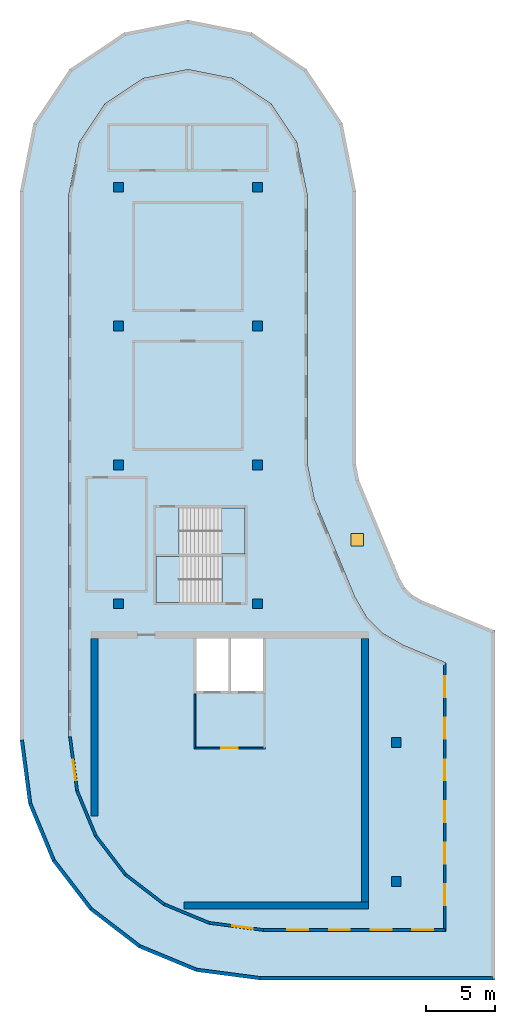
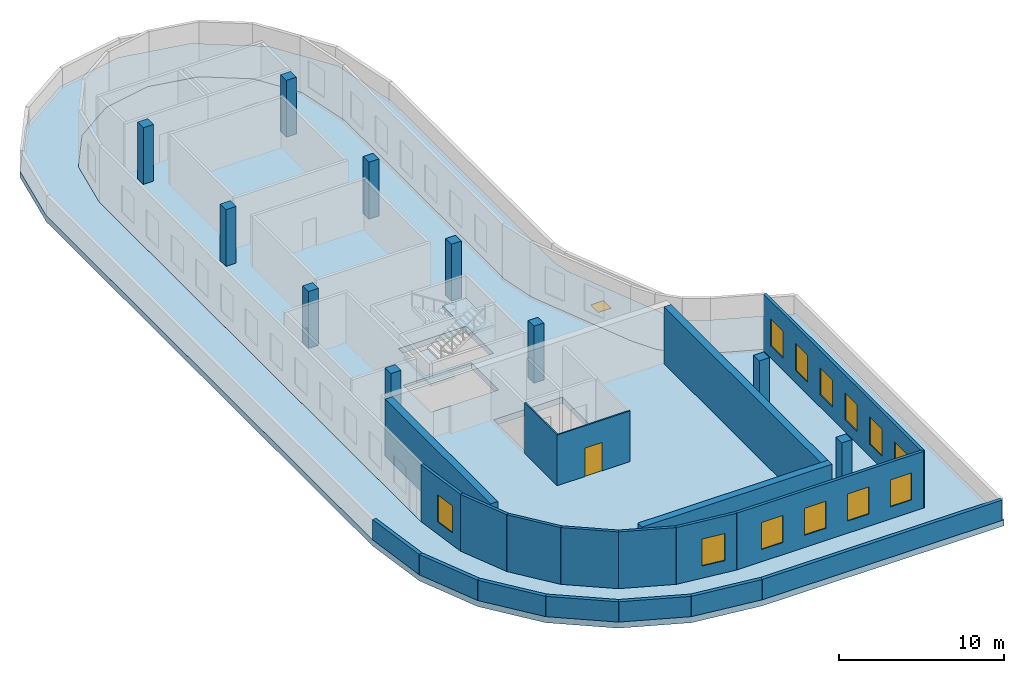
# One storey, part 1 of 5: 20 walls, 12 windows, 10 columns, 4 slabs, 2 doors, 14 openings, 2 elements without a shape of their own.
"""IFC4 building model written with IfcOpenShell, lengths in metres."""

import ifcopenshell
import ifcopenshell.guid

model = None  # the IFC model being written
_history = None  # IfcOwnerHistory: only IFC2X3 demands one
_inside = {}  # id of a spatial element -> (the spatial element, [elements in it])
_under = {}  # id of a project, library or spatial element -> (it, [spatial elements below it])
_declared = {}  # id of a project -> (the project, [libraries it declares])
_typed = {}  # id of a type object -> (the type object, [elements of that type])
_made_of = {}  # id of a material, layer set ... -> (it, [elements and type objects made of it])


def new_model(schema):
    """Start an empty IFC model of exactly this schema.

    Asked for "IFC4X3", IfcOpenShell would pick the latest addendum, in which some entities
    have other attributes; the version numbers below select the first issue.
    IFC2X3 requires an IfcOwnerHistory on every rooted entity: one is made here for all.
    """
    global model, _history
    if schema == "IFC4X3":
        model = ifcopenshell.file(schema_version=(4, 3, 0, 0))
    else:
        model = ifcopenshell.file(schema=schema)
    _inside.clear()
    _under.clear()
    _declared.clear()
    _typed.clear()
    _made_of.clear()
    _history = None
    if model.schema == "IFC2X3":
        org = make("IfcOrganization", Name="unknown")
        user = make(
            "IfcPersonAndOrganization",
            ThePerson=make("IfcPerson", FamilyName="unknown"),
            TheOrganization=org,
        )
        app = make(
            "IfcApplication",
            ApplicationDeveloper=org,
            Version="unknown",
            ApplicationFullName="unknown",
            ApplicationIdentifier="unknown",
        )
        _history = make(
            "IfcOwnerHistory",
            OwningUser=user,
            OwningApplication=app,
            ChangeAction="ADDED",
            CreationDate=0,
        )
    return model


def make(cls, **values):
    """One entity of the class cls with the attributes given. An attribute that is None is left unset."""
    return model.create_entity(
        cls, **{name: value for name, value in values.items() if value is not None}
    )


def rooted(cls, **values):
    """An entity with a GlobalId (a new one), such as an element, a storey or a relation."""
    return make(cls, GlobalId=ifcopenshell.guid.new(), OwnerHistory=_history, **values)


def si_unit(unit_type, name, prefix=None):
    """IfcSIUnit, for example si_unit("LENGTHUNIT", "METRE", prefix="MILLI")."""
    return make("IfcSIUnit", UnitType=unit_type, Prefix=prefix, Name=name)


def assignment(units):
    """IfcUnitAssignment: the units of a project."""
    return None if units is None else make("IfcUnitAssignment", Units=units)


def point(xyz):
    """IfcCartesianPoint."""
    return None if xyz is None else make("IfcCartesianPoint", Coordinates=xyz)


def direction(xyz):
    """IfcDirection."""
    return None if xyz is None else make("IfcDirection", DirectionRatios=xyz)


def frame(location, z_axis=None, x_axis=None):
    """IfcAxis2Placement3D, a coordinate frame: its origin and axes. An axis left out is left unset."""
    return make(
        "IfcAxis2Placement3D",
        Location=point(location),
        Axis=direction(z_axis),
        RefDirection=direction(x_axis),
    )


def frame_2d(location, x_axis=None):
    """IfcAxis2Placement2D, a coordinate frame in the plane: its origin and x axis."""
    return make(
        "IfcAxis2Placement2D", Location=point(location), RefDirection=direction(x_axis)
    )


def origin():
    """The frame at (0, 0, 0) with its axes left unset."""
    return frame((0.0, 0.0, 0.0))


def origin_2d():
    """The frame at (0, 0) in the plane with its x axis left unset."""
    return frame_2d((0.0, 0.0))


def place(relative_to, where):
    """IfcLocalPlacement: puts the frame where relative to a parent placement (None: the world)."""
    return make(
        "IfcLocalPlacement", PlacementRelTo=relative_to, RelativePlacement=where
    )


def context(
    kind, dimensions, precision=None, world=None, true_north=None, identifier=None
):
    """IfcGeometricRepresentationContext, for example the 3D "Model" context."""
    return make(
        "IfcGeometricRepresentationContext",
        ContextIdentifier=identifier,
        ContextType=kind,
        CoordinateSpaceDimension=dimensions,
        Precision=precision,
        WorldCoordinateSystem=world,
        TrueNorth=true_north,
    )


def subcontext(parent, identifier, kind, view, scale=None):
    """IfcGeometricRepresentationSubContext, for example "Body" below "Model"."""
    return make(
        "IfcGeometricRepresentationSubContext",
        ContextIdentifier=identifier,
        ContextType=kind,
        ParentContext=parent,
        TargetScale=scale,
        TargetView=view,
    )


def project(units=None, contexts=None):
    """IfcProject with its units and contexts."""
    return rooted(
        "IfcProject",
        Name="project",
        RepresentationContexts=contexts,
        UnitsInContext=assignment(units),
    )


def spatial(cls, under=None, at=None, **own):
    """A site, building, storey or space (cls), placed at a placement, below another one or the project."""
    s = rooted(cls, ObjectPlacement=at, **own)
    if under is not None:
        _under.setdefault(under.id(), (under, []))[1].append(s)
    return s


def polyline(points):
    """IfcPolyline through the points."""
    return make("IfcPolyline", Points=[point(p) for p in points])


def profile(cls, at=None, kind="AREA", **sizes):
    """A parametric profile (cls). Its sizes go by their IFC names, for example OverallWidth=200.0."""
    return make(cls, ProfileType=kind, Position=at, **sizes)


def rectangle(**sizes):
    """IfcRectangleProfileDef."""
    return profile("IfcRectangleProfileDef", **sizes)


def outline(outer, holes=None, kind="AREA"):
    """IfcArbitraryClosedProfileDef: a profile drawn as a closed curve; with holes, ...WithVoids."""
    if holes is None:
        return make("IfcArbitraryClosedProfileDef", ProfileType=kind, OuterCurve=outer)
    return make(
        "IfcArbitraryProfileDefWithVoids",
        ProfileType=kind,
        OuterCurve=outer,
        InnerCurves=holes,
    )


def extrude(swept, where, along, depth):
    """IfcExtrudedAreaSolid: the profile swept, set in the frame where, extruded along a direction by depth."""
    return make(
        "IfcExtrudedAreaSolid",
        SweptArea=swept,
        Position=where,
        ExtrudedDirection=direction(along),
        Depth=depth,
    )


def shape(context_of_items, identifier, shape_type, items):
    """IfcShapeRepresentation: the items that make up one representation, for example the "Body"."""
    return make(
        "IfcShapeRepresentation",
        ContextOfItems=context_of_items,
        RepresentationIdentifier=identifier,
        RepresentationType=shape_type,
        Items=items,
    )


def material(Name=None, Category=None):
    """IfcMaterial."""
    return make("IfcMaterial", Name=Name, Category=Category)


def layer(
    of_material, thickness, ventilated=None, Name=None, Category=None, Priority=None
):
    """IfcMaterialLayer: one layer of a wall or slab, of a material (None: an air gap)."""
    return make(
        "IfcMaterialLayer",
        Material=of_material,
        LayerThickness=thickness,
        IsVentilated=ventilated,
        Name=Name,
        Category=Category,
        Priority=Priority,
    )


def layer_set(layers, Name=None):
    """IfcMaterialLayerSet."""
    return make("IfcMaterialLayerSet", MaterialLayers=layers, LayerSetName=Name)


def material_profile(
    of_material, cross_section, Name=None, Category=None, Priority=None
):
    """IfcMaterialProfile: a cross section and its material."""
    return make(
        "IfcMaterialProfile",
        Name=Name,
        Material=of_material,
        Profile=cross_section,
        Priority=Priority,
        Category=Category,
    )


def profile_set(profiles, Name=None, composite=None):
    """IfcMaterialProfileSet."""
    return make(
        "IfcMaterialProfileSet",
        Name=Name,
        MaterialProfiles=profiles,
        CompositeProfile=composite,
    )


def made_of(thing, what):
    """Note that an element or type object is made of a material, layer set ...; save() writes the relation."""
    if what is not None:
        _made_of.setdefault(what.id(), (what, []))[1].append(thing)
    return thing


def type_object(cls, material=None, **own):
    """A type object (cls), such as IfcWallType, which elements share."""
    return made_of(rooted(cls, **own), material)


def element(
    cls,
    number,
    at=None,
    inside=None,
    cuts=None,
    type_object=None,
    material=None,
    context=None,
    identifier="Body",
    shape_type=None,
    held_by="IfcProductDefinitionShape",
    body=None,
    shapes=None,
    **own,
):
    """One element of the class cls, such as IfcWall. Its Tag is "e" and its number.

    at: its placement. inside: the storey or other place that contains it. cuts: it is an
    opening in that element (IfcRelVoidsElement). A single representation is given by context,
    identifier, shape_type and body (its items); several are given by shapes. held_by: the class
    of the entity that holds the representations. save() writes the other relations.
    """
    e = rooted(cls, Tag="e%d" % number, ObjectPlacement=at, **own)
    if body is not None:
        shapes = [shape(context, identifier, shape_type, body)]
    if shapes is not None:
        e.Representation = make(held_by, Representations=shapes)
    if inside is not None:
        _inside.setdefault(inside.id(), (inside, []))[1].append(e)
    if cuts is not None:
        rooted(
            "IfcRelVoidsElement", RelatingBuildingElement=cuts, RelatedOpeningElement=e
        )
    if type_object is not None:
        _typed.setdefault(type_object.id(), (type_object, []))[1].append(e)
    return made_of(e, material)


def fill(opening, filler):
    """IfcRelFillsElement: the door or window that sits in an opening."""
    return rooted(
        "IfcRelFillsElement",
        RelatingOpeningElement=opening,
        RelatedBuildingElement=filler,
    )


def aggregate(whole, parts):
    """IfcRelAggregates: a whole, such as a stair, and the parts it consists of."""
    return rooted("IfcRelAggregates", RelatingObject=whole, RelatedObjects=parts)


def save(model, path):
    """Write the relations noted so far, then the file.

    IfcRelAggregates (storeys below a building ...), IfcRelContainedInSpatialStructure (elements
    in a storey), IfcRelDefinesByType, IfcRelAssociatesMaterial and IfcRelDeclares: one each for
    every whole, place, type object, material and project.
    """
    for whole, parts in _under.values():
        aggregate(whole, parts)
    for where, things in _inside.values():
        rooted(
            "IfcRelContainedInSpatialStructure",
            RelatedElements=things,
            RelatingStructure=where,
        )
    for kind, things in _typed.values():
        rooted("IfcRelDefinesByType", RelatedObjects=things, RelatingType=kind)
    for what, things in _made_of.values():
        rooted("IfcRelAssociatesMaterial", RelatedObjects=things, RelatingMaterial=what)
    for by, libraries in _declared.values():
        rooted("IfcRelDeclares", RelatingContext=by, RelatedDefinitions=libraries)
    model.write(path)


model = new_model("IFC4")

# Units and contexts
model_context = context("Model", 3, precision=1e-05, world=origin(), true_north=direction((0.0, 1.0)))
body_context = subcontext(model_context, "Body", "Model", "MODEL_VIEW")
ifc_project = project(units=[si_unit("LENGTHUNIT", "METRE"), si_unit("AREAUNIT", "SQUARE_METRE"), si_unit("VOLUMEUNIT", "CUBIC_METRE"), si_unit("PLANEANGLEUNIT", "RADIAN"), si_unit("MASSUNIT", "GRAM", prefix="KILO")], contexts=[model_context])

# Site, building, storey
site_placement = place(None, origin())
site = spatial("IfcSite", under=ifc_project, at=site_placement, CompositionType="ELEMENT")
building_placement = place(site_placement, origin())
building = spatial("IfcBuilding", under=site, at=building_placement, Name="Qaws Garden Tower", CompositionType="ELEMENT")
storey_placement = place(building_placement, frame((0.0, 0.0, 369.60009765625)))
storey = spatial("IfcBuildingStorey", under=building, at=storey_placement, Name="C2", CompositionType="ELEMENT", Elevation=369.60009765625)

# Columns
ifc_material_1 = material(Name="Concrete C60", Category="concrete")
ifc_material_profile = material_profile(ifc_material_1, rectangle(XDim=0.699951171875, YDim=0.699951171875, at=origin_2d()), Name="RC 700x700")
ifc_profile_set = profile_set([ifc_material_profile], Name="Concrete C60")
column_type = type_object("IfcColumnType", Name="Column RC 700x700 C60", PredefinedType="COLUMN", material=ifc_profile_set)
for number, where, z_axis, x_axis, name in (
    (1, (10.0, 30.0, 0.0), (0.0, 0.0, 1.0), (1.0, 0.0, 0.0), "Column C2-001"),
    (2, (10.0, 40.0, 0.0), (0.0, 0.0, 1.0), (1.0, 0.0, 0.0), "Column C2-002"),
    (3, (10.0, 50.0, 0.0), (0.0, 0.0, 1.0), (1.0, 0.0, 0.0), "Column C2-003"),
    (4, (10.0, 60.0, 0.0), (0.0, 0.0, 1.0), (1.0, 0.0, 0.0), "Column C2-004"),
    (5, (20.0, 30.0, 0.0), (0.0, 0.0, 1.0), (1.0, 0.0, 0.0), "Column C2-005"),
    (6, (20.0, 40.0, 0.0), (0.0, 0.0, 1.0), (1.0, 0.0, 0.0), "Column C2-006"),
    (7, (20.0, 50.0, 0.0), (0.0, 0.0, 1.0), (1.0, 0.0, 0.0), "Column C2-007"),
    (8, (20.0, 60.0, 0.0), (0.0, 0.0, 1.0), (1.0, 0.0, 0.0), "Column C2-008"),
    (9, (30.0, 10.0, 0.0), (0.0, 0.0, 1.0), (1.0, 0.0, 0.0), "Column C2-009"),
    (10, (30.0, 20.0, 0.0), (0.0, 0.0, 1.0), (1.0, 0.0, 0.0), "Column C2-010"),
):
    element("IfcColumn", number, at=place(storey_placement, frame(where, z_axis=z_axis, x_axis=x_axis)), inside=storey, type_object=column_type, Name=name, PredefinedType="COLUMN", context=body_context, shape_type="SweptSolid", body=[
        extrude(rectangle(XDim=0.699951171875, YDim=0.699951171875, at=origin_2d()), origin(), (0.0, 0.0, 1.0), 4.199951171875),
    ])

# Slab
ifc_material_2 = material(Name="Concrete C45", Category="concrete")
ifc_layer_1 = layer(ifc_material_2, 0.449951171875)
ifc_layer_set_1 = layer_set([ifc_layer_1], Name="Concrete C45")
slab_type_1 = type_object("IfcSlabType", Name="Floor slab 450 C45", PredefinedType="FLOOR", material=ifc_layer_set_1)
placement_1 = place(storey_placement, frame((0.0, 0.0, -0.4501953125)))
element("IfcSlab", 11, at=placement_1, inside=storey, type_object=slab_type_1, Name="Floor slab C2", PredefinedType="FLOOR", context=body_context, shape_type="SweptSolid", body=[
    extrude(outline(polyline([(16.494384765625, 6.916748046875), (13.2275390625, 8.27001953125), (10.42236328125, 10.42236328125), (8.27001953125, 13.2275390625), (6.916748046875, 16.494384765625), (6.39990234375, 20.41943359375), (6.39990234375, 59.36962890625), (7.17041015625, 63.2431640625), (9.007568359375, 65.992431640625), (11.7568359375, 67.82958984375), (15.0, 68.474609375), (18.2431640625, 67.82958984375), (20.992431640625, 65.992431640625), (22.82958984375, 63.2431640625), (23.60009765625, 59.36962890625), (23.60009765625, 40.0), (24.087158203125, 37.55078125), (27.01611328125, 30.479736328125), (27.8515625, 29.032958984375), (29.032958984375, 27.8515625), (30.479736328125, 27.01611328125), (33.60009765625, 25.7236328125), (33.60009765625, 6.39990234375), (20.41943359375, 6.39990234375), (16.494384765625, 6.916748046875)]), holes=[polyline([(15.60009765625, 23.699951171875), (17.89990234375, 23.699951171875), (17.89990234375, 27.5), (15.60009765625, 27.5), (15.60009765625, 23.699951171875)]), polyline([(18.10009765625, 23.699951171875), (20.39990234375, 23.699951171875), (20.39990234375, 27.5), (18.10009765625, 27.5), (18.10009765625, 23.699951171875)]), polyline([(12.699951171875, 30.10009765625), (17.449462890625, 30.10009765625), (17.449462890625, 33.39990234375), (12.699951171875, 33.39990234375), (12.699951171875, 30.10009765625)]), polyline([(14.3505859375, 33.60009765625), (19.10009765625, 33.60009765625), (19.10009765625, 36.89990234375), (14.3505859375, 36.89990234375), (14.3505859375, 33.60009765625)])]), origin(), (0.0, 0.0, 1.0), 0.4501953125),
])

# Stair, slab
ifc_material_3 = material(Name="Concrete C40", Category="concrete")
stair_type = type_object("IfcStairType", Name="Exit stair 1350", PredefinedType="HALF_TURN_STAIR", material=ifc_material_3)
placement_2 = place(storey_placement, origin())
stair_1 = element("IfcStair", 12, at=placement_2, inside=storey, type_object=stair_type, Name="Stair 1", PredefinedType="HALF_TURN_STAIR")
ifc_material_4 = material(Name="Concrete C40", Category="concrete")
ifc_layer_2 = layer(ifc_material_4, 0.199951171875)
ifc_layer_set_2 = layer_set([ifc_layer_2], Name="Concrete C40")
slab_type_2 = type_object("IfcSlabType", Name="Stair landing 200", PredefinedType="LANDING", material=ifc_layer_set_2)
placement_3 = place(storey_placement, frame((0.0, 0.0, 1.89990234375)))
slab_2 = element("IfcSlab", 13, at=placement_3, type_object=slab_type_2, Name="CS1 landing 1", PredefinedType="LANDING", context=body_context, shape_type="SweptSolid", body=[
    extrude(outline(polyline([(12.699951171875, 30.10009765625), (14.3701171875, 30.10009765625), (14.3701171875, 33.39990234375), (12.699951171875, 33.39990234375), (12.699951171875, 30.10009765625)])), origin(), (0.0, 0.0, 1.0), 0.199951171875),
])
aggregate(stair_1, [slab_2])

stair_2 = element("IfcStair", 14, at=placement_2, inside=storey, type_object=stair_type, Name="Stair 2", PredefinedType="HALF_TURN_STAIR")
slab_3 = element("IfcSlab", 15, at=placement_3, type_object=slab_type_2, Name="CS2 landing 1", PredefinedType="LANDING", context=body_context, shape_type="SweptSolid", body=[
    extrude(outline(polyline([(17.429931640625, 33.60009765625), (19.10009765625, 33.60009765625), (19.10009765625, 36.89990234375), (17.429931640625, 36.89990234375), (17.429931640625, 33.60009765625)])), origin(), (0.0, 0.0, 1.0), 0.199951171875),
])
aggregate(stair_2, [slab_3])

# Slab, opening, door
ifc_material_5 = material(Name="Concrete C45", Category="concrete")
ifc_layer_3 = layer(ifc_material_5, 0.449951171875)
ifc_layer_set_3 = layer_set([ifc_layer_3], Name="Concrete C45")
slab_type_3 = type_object("IfcSlabType", Name="Terrace slab 450 C45", PredefinedType="FLOOR", material=ifc_layer_set_3)
slab_4 = element("IfcSlab", 16, at=placement_1, inside=storey, type_object=slab_type_3, Name="Terrace slab C2", PredefinedType="FLOOR", context=body_context, shape_type="SweptSolid", body=[
    extrude(outline(polyline([(15.580810546875, 3.5068359375), (11.46240234375, 5.212646484375), (7.92626953125, 7.92626953125), (5.212646484375, 11.46240234375), (3.5068359375, 15.580810546875), (2.89990234375, 20.190185546875), (2.89990234375, 59.71435546875), (3.87353515625, 64.608642578125), (6.484130859375, 68.515869140625), (10.391357421875, 71.12646484375), (15.0, 72.043212890625), (19.608642578125, 71.12646484375), (23.515869140625, 68.515869140625), (26.12646484375, 64.608642578125), (27.10009765625, 59.71435546875), (27.10009765625, 40.0), (27.32080078125, 38.89013671875), (30.249755859375, 31.819091796875), (30.628173828125, 31.16357421875), (31.16357421875, 30.628173828125), (31.819091796875, 30.249755859375), (37.10009765625, 28.062255859375), (37.10009765625, 2.89990234375), (20.190185546875, 2.89990234375), (15.580810546875, 3.5068359375)]), holes=[polyline([(33.60009765625, 6.39990234375), (33.60009765625, 25.7236328125), (30.479736328125, 27.01611328125), (29.032958984375, 27.8515625), (27.8515625, 29.032958984375), (27.01611328125, 30.479736328125), (24.087158203125, 37.55078125), (23.60009765625, 40.0), (23.60009765625, 59.36962890625), (22.82958984375, 63.2431640625), (20.992431640625, 65.992431640625), (18.2431640625, 67.82958984375), (15.0, 68.474609375), (11.7568359375, 67.82958984375), (9.007568359375, 65.992431640625), (7.17041015625, 63.2431640625), (6.39990234375, 59.36962890625), (6.39990234375, 20.41943359375), (6.916748046875, 16.494384765625), (8.27001953125, 13.2275390625), (10.42236328125, 10.42236328125), (13.2275390625, 8.27001953125), (16.494384765625, 6.916748046875), (20.41943359375, 6.39990234375), (33.60009765625, 6.39990234375)])]), origin(), (0.0, 0.0, 1.0), 0.4501953125),
])
opening_1_placement = place(placement_1, frame((27.197021484375, 34.616943359375, 0.0)))
opening_1 = element("IfcOpeningElement", 17, at=opening_1_placement, cuts=slab_4, Name="Opening PD10-01", PredefinedType="OPENING", context=body_context, shape_type="SweptSolid", body=[
    extrude(rectangle(XDim=0.89990234375, YDim=0.89990234375, at=origin_2d()), origin(), (0.0, 0.0, 1.0), 0.4501953125),
])
ifc_material_6 = material(Name="Aluminium hatch", Category="aluminium")
door_type_1 = type_object("IfcDoorType", Name="Roof hatch 900 x 900", OperationType="SINGLE_SWING_LEFT", PredefinedType="TRAPDOOR", material=ifc_material_6)
door_1_placement = place(opening_1_placement, frame((0.0, 0.0, 0.400146484375)))
door_1 = element("IfcDoor", 18, at=door_1_placement, inside=storey, type_object=door_type_1, Name="Maintenance terrace hatch", OperationType="SINGLE_SWING_LEFT", OverallHeight=0.89990234375, OverallWidth=0.89990234375, PredefinedType="TRAPDOOR", context=body_context, shape_type="SweptSolid", body=[
    extrude(rectangle(XDim=0.89990234375, YDim=0.89990234375, at=origin_2d()), origin(), (0.0, 0.0, 1.0), 0.050048828125),
])
fill(opening_1, door_1)

# Wall
ifc_material_7 = material(Name="Plasterboard")
ifc_layer_4 = layer(ifc_material_7, 0.10009765625)
ifc_layer_set_4 = layer_set([ifc_layer_4], Name="Plasterboard")
wall_type_1 = type_object("IfcWallType", Name="Core partition 100", PredefinedType="PARTITIONING", material=ifc_layer_set_4)
wall_1_placement = place(storey_placement, frame((15.5, 19.60009765625, 0.0), z_axis=(0.0, 0.0, 1.0), x_axis=(0.0, 1.0, 0.0)))
element("IfcWall", 19, at=wall_1_placement, inside=storey, type_object=wall_type_1, Name="Lift lobby wall", PredefinedType="PARTITIONING", context=body_context, shape_type="SweptSolid", body=[
    extrude(rectangle(XDim=3.89990234375, YDim=0.10009765625, at=frame_2d((1.949951171875, 0.0))), origin(), (0.0, 0.0, 1.0), 3.75),
])

# Wall, opening, door
wall_2_placement = place(storey_placement, frame((15.449951171875, 19.60009765625, 0.0), z_axis=(0.0, 0.0, 1.0), x_axis=(1.0, 0.0, 0.0)))
wall_2 = element("IfcWall", 20, at=wall_2_placement, inside=storey, type_object=wall_type_1, Name="Lift lobby wall", PredefinedType="PARTITIONING", context=body_context, shape_type="SweptSolid", body=[
    extrude(rectangle(XDim=5.10009765625, YDim=0.10009765625, at=frame_2d((2.550048828125, 0.0))), origin(), (0.0, 0.0, 1.0), 3.75),
])
opening_2_placement = place(wall_2_placement, frame((1.949951171875, 0.0, 0.0)))
opening_2 = element("IfcOpeningElement", 21, at=opening_2_placement, cuts=wall_2, Name="Opening FD", PredefinedType="OPENING", context=body_context, shape_type="SweptSolid", body=[
    extrude(rectangle(XDim=1.199951171875, YDim=2.10009765625, at=frame_2d((0.60009765625, 1.050048828125))), frame((0.0, 0.06005859375, 0.0), z_axis=(0.0, -1.0, 0.0), x_axis=(1.0, 0.0, 0.0)), (0.0, 0.0, 1.0), 0.1201171875),
])
ifc_material_8 = material(Name="Steel S235", Category="steel")
door_type_2 = type_object("IfcDoorType", Name="Lobby door 1200x2100", OperationType="DOUBLE_DOOR_SINGLE_SWING", PredefinedType="DOOR", material=ifc_material_8)
door_2_placement = place(opening_2_placement, origin())
door_2 = element("IfcDoor", 22, at=door_2_placement, inside=storey, type_object=door_type_2, Name="Crown lift lobby door", OperationType="DOUBLE_DOOR_SINGLE_SWING", OverallHeight=2.10009765625, OverallWidth=1.199951171875, PredefinedType="DOOR", context=body_context, shape_type="SweptSolid", body=[
    extrude(rectangle(XDim=1.199951171875, YDim=2.10009765625, at=frame_2d((0.60009765625, 1.050048828125))), frame((0.0, 0.02490234375, 0.0), z_axis=(0.0, -1.0, 0.0), x_axis=(1.0, 0.0, 0.0)), (0.0, 0.0, 1.0), 0.050048828125),
])
fill(opening_2, door_2)

# Walls
ifc_material_9 = material(Name="Concrete C60", Category="concrete")
ifc_layer_5 = layer(ifc_material_9, 0.5)
ifc_layer_set_5 = layer_set([ifc_layer_5], Name="Concrete C60")
wall_type_2 = type_object("IfcWallType", Name="Core wall 500 C60", PredefinedType="SHEAR", material=ifc_layer_set_5)
wall_3_placement = place(storey_placement, frame((14.712890625, 8.25, 0.0), z_axis=(0.0, 0.0, 1.0), x_axis=(1.0, 0.0, 0.0)))
element("IfcWall", 23, at=wall_3_placement, inside=storey, type_object=wall_type_2, Name="Core wall C2 south", PredefinedType="SHEAR", context=body_context, shape_type="SweptSolid", body=[
    extrude(rectangle(XDim=13.287109375, YDim=0.5, at=frame_2d((6.6435546875, 0.0))), origin(), (0.0, 0.0, 1.0), 4.199951171875),
])
wall_4_placement = place(storey_placement, frame((27.75, 8.5, 0.0), z_axis=(0.0, 0.0, 1.0), x_axis=(0.0, 1.0, 0.0)))
element("IfcWall", 24, at=wall_4_placement, inside=storey, type_object=wall_type_2, Name="Core wall C2 east", PredefinedType="SHEAR", context=body_context, shape_type="SweptSolid", body=[
    extrude(rectangle(XDim=19.0, YDim=0.5, at=frame_2d((9.5, 0.0))), origin(), (0.0, 0.0, 1.0), 4.199951171875),
])
wall_5_placement = place(storey_placement, frame((8.25, 27.5, 0.0), z_axis=(0.0, 0.0, 1.0), x_axis=(0.0, -1.0, 0.0)))
element("IfcWall", 25, at=wall_5_placement, inside=storey, type_object=wall_type_2, Name="Core wall C2 west", PredefinedType="SHEAR", context=body_context, shape_type="SweptSolid", body=[
    extrude(rectangle(XDim=12.787109375, YDim=0.5, at=frame_2d((6.3935546875, 0.0))), origin(), (0.0, 0.0, 1.0), 4.199951171875),
])
ifc_material_10 = material(Name="Brick masonry", Category="masonry")
ifc_layer_6 = layer(ifc_material_10, 0.25)
ifc_layer_set_6 = layer_set([ifc_layer_6], Name="Brick masonry")
wall_type_3 = type_object("IfcWallType", Name="Parapet 250", PredefinedType="PARAPET", material=ifc_layer_set_6)
wall_6_placement = place(storey_placement, frame((20.1982421875, 3.02490234375, 0.0), z_axis=(0.0, 0.0, 1.0), x_axis=(-0.991440993468, 0.130555568522, 0.0)))
element("IfcWall", 26, at=wall_6_placement, inside=storey, type_object=wall_type_3, Name="Maintenance terrace parapet C2", PredefinedType="PARAPET", context=body_context, shape_type="SweptSolid", body=[
    extrude(rectangle(XDim=4.62451171875, YDim=0.25, at=frame_2d((2.312255859375, 0.0))), origin(), (0.0, 0.0, 1.0), 1.5),
])
wall_7_placement = place(storey_placement, frame((15.61328125, 3.628662109375, 0.0), z_axis=(0.0, 0.0, 1.0), x_axis=(-0.923882998761, 0.382675063991, 0.0)))
element("IfcWall", 27, at=wall_7_placement, inside=storey, type_object=wall_type_3, Name="Maintenance terrace parapet C2", PredefinedType="PARAPET", context=body_context, shape_type="SweptSolid", body=[
    extrude(rectangle(XDim=4.42431640625, YDim=0.25, at=frame_2d((2.212158203125, 0.0))), origin(), (0.0, 0.0, 1.0), 1.5),
])
for number, where, z_axis, x_axis, name in (
    (28, (11.525634765625, 5.32177734375, 0.0), (0.0, 0.0, 1.0), (-0.793343411752, 0.608774367914, 0.0), "Maintenance terrace parapet C2"),
    (29, (8.015380859375, 8.015380859375, 0.0), (0.0, 0.0, 1.0), (-0.608774367914, 0.793343411752, 0.0), "Maintenance terrace parapet C2"),
):
    element("IfcWall", number, at=place(storey_placement, frame(where, z_axis=z_axis, x_axis=x_axis)), inside=storey, type_object=wall_type_3, Name=name, PredefinedType="PARAPET", context=body_context, shape_type="SweptSolid", body=[
        extrude(rectangle(XDim=4.424560546875, YDim=0.25, at=frame_2d((2.21240234375, 0.0))), origin(), (0.0, 0.0, 1.0), 1.5),
    ])
wall_8_placement = place(storey_placement, frame((5.32177734375, 11.525634765625, 0.0), z_axis=(0.0, 0.0, 1.0), x_axis=(-0.382675063991, 0.923882998761, 0.0)))
element("IfcWall", 30, at=wall_8_placement, inside=storey, type_object=wall_type_3, Name="Maintenance terrace parapet C2", PredefinedType="PARAPET", context=body_context, shape_type="SweptSolid", body=[
    extrude(rectangle(XDim=4.42431640625, YDim=0.25, at=frame_2d((2.212158203125, 0.0))), origin(), (0.0, 0.0, 1.0), 1.5),
])
wall_9_placement = place(storey_placement, frame((3.628662109375, 15.61328125, 0.0), z_axis=(0.0, 0.0, 1.0), x_axis=(-0.130555568522, 0.991440993468, 0.0)))
element("IfcWall", 31, at=wall_9_placement, inside=storey, type_object=wall_type_3, Name="Maintenance terrace parapet C2", PredefinedType="PARAPET", context=body_context, shape_type="SweptSolid", body=[
    extrude(rectangle(XDim=4.62451171875, YDim=0.25, at=frame_2d((2.312255859375, 0.0))), origin(), (0.0, 0.0, 1.0), 1.5),
])
wall_10_placement = place(storey_placement, frame((36.97509765625, 3.02490234375, 0.0), z_axis=(0.0, 0.0, 1.0), x_axis=(-1.0, 0.0, 0.0)))
element("IfcWall", 32, at=wall_10_placement, inside=storey, type_object=wall_type_3, Name="Maintenance terrace parapet C2", PredefinedType="PARAPET", context=body_context, shape_type="SweptSolid", body=[
    extrude(rectangle(XDim=16.77685546875, YDim=0.25, at=frame_2d((8.388427734375, 0.0))), origin(), (0.0, 0.0, 1.0), 1.5),
])

# Wall, opening, window
ifc_material_11 = material(Name="Brick masonry", Category="masonry")
ifc_layer_7 = layer(ifc_material_11, 0.199951171875)
ifc_layer_set_7 = layer_set([ifc_layer_7], Name="Brick masonry")
wall_type_4 = type_object("IfcWallType", Name="Plant screen louvre 200", PredefinedType="STANDARD", material=ifc_layer_set_7)
wall_11_placement = place(storey_placement, frame((20.426025390625, 6.5, 0.0), z_axis=(0.0, 0.0, 1.0), x_axis=(-0.99144522232, 0.130523450535, 0.0)))
wall_11 = element("IfcWall", 33, at=wall_11_placement, inside=storey, type_object=wall_type_4, Name="Plant screen wall C2 1", PredefinedType="STANDARD", context=body_context, shape_type="SweptSolid", body=[
    extrude(rectangle(XDim=3.939208984375, YDim=0.199951171875, at=frame_2d((1.9697265625, 0.0))), origin(), (0.0, 0.0, 1.0), 4.199951171875),
])
opening_3_placement = place(wall_11_placement, frame((0.76953125, 0.0, 0.89990234375)))
opening_3 = element("IfcOpeningElement", 34, at=opening_3_placement, cuts=wall_11, Name="Opening PW-S4", PredefinedType="OPENING", context=body_context, shape_type="SweptSolid", body=[
    extrude(rectangle(XDim=1.5, YDim=2.0, at=frame_2d((0.75, 1.0))), frame((0.0, 0.10986328125, 0.0), z_axis=(0.0, -1.0, 0.0), x_axis=(1.0, 0.0, 0.0)), (0.0, 0.0, 1.0), 0.219970703125),
])
ifc_material_12 = material(Name="Aluminium louvre", Category="aluminium")
window_type = type_object("IfcWindowType", Name="Plant louvre 1500", PartitioningType="SINGLE_PANEL", PredefinedType="WINDOW", material=ifc_material_12)
window_1_placement = place(opening_3_placement, origin())
window_1 = element("IfcWindow", 35, at=window_1_placement, inside=storey, type_object=window_type, Name="Plant louvre", OverallHeight=2.0, OverallWidth=1.5, PartitioningType="SINGLE_PANEL", PredefinedType="WINDOW", context=body_context, shape_type="SweptSolid", body=[
    extrude(rectangle(XDim=1.5, YDim=2.0, at=frame_2d((0.75, 1.0))), frame((0.0, 0.030029296875, 0.0), z_axis=(0.0, -1.0, 0.0), x_axis=(1.0, 0.0, 0.0)), (0.0, 0.0, 1.0), 0.06005859375),
])
fill(opening_3, window_1)

# Walls
for number, where, z_axis, x_axis, name in (
    (36, (16.5205078125, 7.01416015625, 0.0), (0.0, 0.0, 1.0), (-0.923883721472, 0.382673319164, 0.0), "Plant screen wall C2 2"),
    (37, (13.278076171875, 8.357177734375, 0.0), (0.0, 0.0, 1.0), (-0.793365579204, 0.608745478616, 0.0), "Plant screen wall C2 3"),
    (38, (10.49365234375, 10.49365234375, 0.0), (0.0, 0.0, 1.0), (-0.608745478616, 0.793365579204, 0.0), "Plant screen wall C2 4"),
    (39, (8.357177734375, 13.278076171875, 0.0), (0.0, 0.0, 1.0), (-0.382673319164, 0.923883721472, 0.0), "Plant screen wall C2 5"),
):
    element("IfcWall", number, at=place(storey_placement, frame(where, z_axis=z_axis, x_axis=x_axis)), inside=storey, type_object=wall_type_4, Name=name, PredefinedType="STANDARD", context=body_context, shape_type="SweptSolid", body=[
        extrude(rectangle(XDim=3.509521484375, YDim=0.199951171875, at=frame_2d((1.7548828125, 0.0))), origin(), (0.0, 0.0, 1.0), 4.199951171875),
    ])

# Wall, opening, window
wall_12_placement = place(storey_placement, frame((7.01416015625, 16.5205078125, 0.0), z_axis=(0.0, 0.0, 1.0), x_axis=(-0.130523450535, 0.99144522232, 0.0)))
wall_12 = element("IfcWall", 40, at=wall_12_placement, inside=storey, type_object=wall_type_4, Name="Plant screen wall C2 6", PredefinedType="STANDARD", context=body_context, shape_type="SweptSolid", body=[
    extrude(rectangle(XDim=3.939208984375, YDim=0.199951171875, at=frame_2d((1.9697265625, 0.0))), origin(), (0.0, 0.0, 1.0), 4.199951171875),
])
opening_4_placement = place(wall_12_placement, frame((0.76953125, 0.0, 0.89990234375)))
opening_4 = element("IfcOpeningElement", 41, at=opening_4_placement, cuts=wall_12, Name="Opening PW-S4", PredefinedType="OPENING", context=body_context, shape_type="SweptSolid", body=[
    extrude(rectangle(XDim=1.5, YDim=2.0, at=frame_2d((0.75, 1.0))), frame((0.0, 0.10986328125, 0.0), z_axis=(0.0, -1.0, 0.0), x_axis=(1.0, 0.0, 0.0)), (0.0, 0.0, 1.0), 0.219970703125),
])
window_2_placement = place(opening_4_placement, origin())
window_2 = element("IfcWindow", 42, at=window_2_placement, inside=storey, type_object=window_type, Name="Plant louvre", OverallHeight=2.0, OverallWidth=1.5, PartitioningType="SINGLE_PANEL", PredefinedType="WINDOW", context=body_context, shape_type="SweptSolid", body=[
    extrude(rectangle(XDim=1.5, YDim=2.0, at=frame_2d((0.75, 1.0))), frame((0.0, 0.030029296875, 0.0), z_axis=(0.0, -1.0, 0.0), x_axis=(1.0, 0.0, 0.0)), (0.0, 0.0, 1.0), 0.06005859375),
])
fill(opening_4, window_2)

# Wall, openings, windows
wall_13_placement = place(storey_placement, frame((33.5, 25.65673828125, 0.0), z_axis=(0.0, 0.0, 1.0), x_axis=(0.0, -1.0, 0.0)))
wall_13 = element("IfcWall", 43, at=wall_13_placement, inside=storey, type_object=wall_type_4, Name="Plant screen wall C2 23", PredefinedType="STANDARD", context=body_context, shape_type="SweptSolid", body=[
    extrude(rectangle(XDim=19.15673828125, YDim=0.199951171875, at=frame_2d((9.578369140625, 0.0))), origin(), (0.0, 0.0, 1.0), 4.199951171875),
])
opening_5_placement = place(wall_13_placement, frame((0.87841796875, 0.0, 0.89990234375)))
opening_5 = element("IfcOpeningElement", 44, at=opening_5_placement, cuts=wall_13, Name="Opening PW-S4", PredefinedType="OPENING", context=body_context, shape_type="SweptSolid", body=[
    extrude(rectangle(XDim=1.5, YDim=2.0, at=frame_2d((0.75, 1.0))), frame((0.0, 0.10986328125, 0.0), z_axis=(0.0, -1.0, 0.0), x_axis=(1.0, 0.0, 0.0)), (0.0, 0.0, 1.0), 0.219970703125),
])
opening_6_placement = place(wall_13_placement, frame((3.87841796875, 0.0, 0.89990234375)))
opening_6 = element("IfcOpeningElement", 45, at=opening_6_placement, cuts=wall_13, Name="Opening PW-S4", PredefinedType="OPENING", context=body_context, shape_type="SweptSolid", body=[
    extrude(rectangle(XDim=1.5, YDim=2.0, at=frame_2d((0.75, 1.0))), frame((0.0, 0.10986328125, 0.0), z_axis=(0.0, -1.0, 0.0), x_axis=(1.0, 0.0, 0.0)), (0.0, 0.0, 1.0), 0.219970703125),
])
opening_7_placement = place(wall_13_placement, frame((6.87841796875, 0.0, 0.89990234375)))
opening_7 = element("IfcOpeningElement", 46, at=opening_7_placement, cuts=wall_13, Name="Opening PW-S4", PredefinedType="OPENING", context=body_context, shape_type="SweptSolid", body=[
    extrude(rectangle(XDim=1.5, YDim=2.0, at=frame_2d((0.75, 1.0))), frame((0.0, 0.10986328125, 0.0), z_axis=(0.0, -1.0, 0.0), x_axis=(1.0, 0.0, 0.0)), (0.0, 0.0, 1.0), 0.219970703125),
])
opening_8_placement = place(wall_13_placement, frame((9.87841796875, 0.0, 0.89990234375)))
opening_8 = element("IfcOpeningElement", 47, at=opening_8_placement, cuts=wall_13, Name="Opening PW-S4", PredefinedType="OPENING", context=body_context, shape_type="SweptSolid", body=[
    extrude(rectangle(XDim=1.5, YDim=2.0, at=frame_2d((0.75, 1.0))), frame((0.0, 0.10986328125, 0.0), z_axis=(0.0, -1.0, 0.0), x_axis=(1.0, 0.0, 0.0)), (0.0, 0.0, 1.0), 0.219970703125),
])
opening_9_placement = place(wall_13_placement, frame((12.87841796875, 0.0, 0.89990234375)))
opening_9 = element("IfcOpeningElement", 48, at=opening_9_placement, cuts=wall_13, Name="Opening PW-S4", PredefinedType="OPENING", context=body_context, shape_type="SweptSolid", body=[
    extrude(rectangle(XDim=1.5, YDim=2.0, at=frame_2d((0.75, 1.0))), frame((0.0, 0.10986328125, 0.0), z_axis=(0.0, -1.0, 0.0), x_axis=(1.0, 0.0, 0.0)), (0.0, 0.0, 1.0), 0.219970703125),
])
opening_10_placement = place(wall_13_placement, frame((15.87841796875, 0.0, 0.89990234375)))
opening_10 = element("IfcOpeningElement", 49, at=opening_10_placement, cuts=wall_13, Name="Opening PW-S4", PredefinedType="OPENING", context=body_context, shape_type="SweptSolid", body=[
    extrude(rectangle(XDim=1.5, YDim=2.0, at=frame_2d((0.75, 1.0))), frame((0.0, 0.10986328125, 0.0), z_axis=(0.0, -1.0, 0.0), x_axis=(1.0, 0.0, 0.0)), (0.0, 0.0, 1.0), 0.219970703125),
])
window_3_placement = place(opening_5_placement, origin())
window_3 = element("IfcWindow", 50, at=window_3_placement, inside=storey, type_object=window_type, Name="Plant louvre", OverallHeight=2.0, OverallWidth=1.5, PartitioningType="SINGLE_PANEL", PredefinedType="WINDOW", context=body_context, shape_type="SweptSolid", body=[
    extrude(rectangle(XDim=1.5, YDim=2.0, at=frame_2d((0.75, 1.0))), frame((0.0, 0.030029296875, 0.0), z_axis=(0.0, -1.0, 0.0), x_axis=(1.0, 0.0, 0.0)), (0.0, 0.0, 1.0), 0.06005859375),
])
fill(opening_5, window_3)
window_4_placement = place(opening_6_placement, origin())
window_4 = element("IfcWindow", 51, at=window_4_placement, inside=storey, type_object=window_type, Name="Plant louvre", OverallHeight=2.0, OverallWidth=1.5, PartitioningType="SINGLE_PANEL", PredefinedType="WINDOW", context=body_context, shape_type="SweptSolid", body=[
    extrude(rectangle(XDim=1.5, YDim=2.0, at=frame_2d((0.75, 1.0))), frame((0.0, 0.030029296875, 0.0), z_axis=(0.0, -1.0, 0.0), x_axis=(1.0, 0.0, 0.0)), (0.0, 0.0, 1.0), 0.06005859375),
])
fill(opening_6, window_4)
window_5_placement = place(opening_7_placement, origin())
window_5 = element("IfcWindow", 52, at=window_5_placement, inside=storey, type_object=window_type, Name="Plant louvre", OverallHeight=2.0, OverallWidth=1.5, PartitioningType="SINGLE_PANEL", PredefinedType="WINDOW", context=body_context, shape_type="SweptSolid", body=[
    extrude(rectangle(XDim=1.5, YDim=2.0, at=frame_2d((0.75, 1.0))), frame((0.0, 0.030029296875, 0.0), z_axis=(0.0, -1.0, 0.0), x_axis=(1.0, 0.0, 0.0)), (0.0, 0.0, 1.0), 0.06005859375),
])
fill(opening_7, window_5)
window_6_placement = place(opening_8_placement, origin())
window_6 = element("IfcWindow", 53, at=window_6_placement, inside=storey, type_object=window_type, Name="Plant louvre", OverallHeight=2.0, OverallWidth=1.5, PartitioningType="SINGLE_PANEL", PredefinedType="WINDOW", context=body_context, shape_type="SweptSolid", body=[
    extrude(rectangle(XDim=1.5, YDim=2.0, at=frame_2d((0.75, 1.0))), frame((0.0, 0.030029296875, 0.0), z_axis=(0.0, -1.0, 0.0), x_axis=(1.0, 0.0, 0.0)), (0.0, 0.0, 1.0), 0.06005859375),
])
fill(opening_8, window_6)
window_7_placement = place(opening_9_placement, origin())
window_7 = element("IfcWindow", 54, at=window_7_placement, inside=storey, type_object=window_type, Name="Plant louvre", OverallHeight=2.0, OverallWidth=1.5, PartitioningType="SINGLE_PANEL", PredefinedType="WINDOW", context=body_context, shape_type="SweptSolid", body=[
    extrude(rectangle(XDim=1.5, YDim=2.0, at=frame_2d((0.75, 1.0))), frame((0.0, 0.030029296875, 0.0), z_axis=(0.0, -1.0, 0.0), x_axis=(1.0, 0.0, 0.0)), (0.0, 0.0, 1.0), 0.06005859375),
])
fill(opening_9, window_7)
window_8_placement = place(opening_10_placement, origin())
window_8 = element("IfcWindow", 55, at=window_8_placement, inside=storey, type_object=window_type, Name="Plant louvre", OverallHeight=2.0, OverallWidth=1.5, PartitioningType="SINGLE_PANEL", PredefinedType="WINDOW", context=body_context, shape_type="SweptSolid", body=[
    extrude(rectangle(XDim=1.5, YDim=2.0, at=frame_2d((0.75, 1.0))), frame((0.0, 0.030029296875, 0.0), z_axis=(0.0, -1.0, 0.0), x_axis=(1.0, 0.0, 0.0)), (0.0, 0.0, 1.0), 0.06005859375),
])
fill(opening_10, window_8)

wall_14_placement = place(storey_placement, frame((33.5, 6.5, 0.0), z_axis=(0.0, 0.0, 1.0), x_axis=(-1.0, 0.0, 0.0)))
wall_14 = element("IfcWall", 56, at=wall_14_placement, inside=storey, type_object=wall_type_4, Name="Plant screen wall C2 24", PredefinedType="STANDARD", context=body_context, shape_type="SweptSolid", body=[
    extrude(rectangle(XDim=13.073974609375, YDim=0.199951171875, at=frame_2d((6.537109375, 0.0))), origin(), (0.0, 0.0, 1.0), 4.199951171875),
])
opening_11_placement = place(wall_14_placement, frame((0.8369140625, 0.0, 0.89990234375)))
opening_11 = element("IfcOpeningElement", 57, at=opening_11_placement, cuts=wall_14, Name="Opening PW-S4", PredefinedType="OPENING", context=body_context, shape_type="SweptSolid", body=[
    extrude(rectangle(XDim=1.5, YDim=2.0, at=frame_2d((0.75, 1.0))), frame((0.0, 0.10986328125, 0.0), z_axis=(0.0, -1.0, 0.0), x_axis=(1.0, 0.0, 0.0)), (0.0, 0.0, 1.0), 0.219970703125),
])
opening_12_placement = place(wall_14_placement, frame((3.8369140625, 0.0, 0.89990234375)))
opening_12 = element("IfcOpeningElement", 58, at=opening_12_placement, cuts=wall_14, Name="Opening PW-S4", PredefinedType="OPENING", context=body_context, shape_type="SweptSolid", body=[
    extrude(rectangle(XDim=1.5, YDim=2.0, at=frame_2d((0.75, 1.0))), frame((0.0, 0.10986328125, 0.0), z_axis=(0.0, -1.0, 0.0), x_axis=(1.0, 0.0, 0.0)), (0.0, 0.0, 1.0), 0.219970703125),
])
opening_13_placement = place(wall_14_placement, frame((6.8369140625, 0.0, 0.89990234375)))
opening_13 = element("IfcOpeningElement", 59, at=opening_13_placement, cuts=wall_14, Name="Opening PW-S4", PredefinedType="OPENING", context=body_context, shape_type="SweptSolid", body=[
    extrude(rectangle(XDim=1.5, YDim=2.0, at=frame_2d((0.75, 1.0))), frame((0.0, 0.10986328125, 0.0), z_axis=(0.0, -1.0, 0.0), x_axis=(1.0, 0.0, 0.0)), (0.0, 0.0, 1.0), 0.219970703125),
])
opening_14_placement = place(wall_14_placement, frame((9.8369140625, 0.0, 0.89990234375)))
opening_14 = element("IfcOpeningElement", 60, at=opening_14_placement, cuts=wall_14, Name="Opening PW-S4", PredefinedType="OPENING", context=body_context, shape_type="SweptSolid", body=[
    extrude(rectangle(XDim=1.5, YDim=2.0, at=frame_2d((0.75, 1.0))), frame((0.0, 0.10986328125, 0.0), z_axis=(0.0, -1.0, 0.0), x_axis=(1.0, 0.0, 0.0)), (0.0, 0.0, 1.0), 0.219970703125),
])
window_9_placement = place(opening_11_placement, origin())
window_9 = element("IfcWindow", 61, at=window_9_placement, inside=storey, type_object=window_type, Name="Plant louvre", OverallHeight=2.0, OverallWidth=1.5, PartitioningType="SINGLE_PANEL", PredefinedType="WINDOW", context=body_context, shape_type="SweptSolid", body=[
    extrude(rectangle(XDim=1.5, YDim=2.0, at=frame_2d((0.75, 1.0))), frame((0.0, 0.030029296875, 0.0), z_axis=(0.0, -1.0, 0.0), x_axis=(1.0, 0.0, 0.0)), (0.0, 0.0, 1.0), 0.06005859375),
])
fill(opening_11, window_9)
window_10_placement = place(opening_12_placement, origin())
window_10 = element("IfcWindow", 62, at=window_10_placement, inside=storey, type_object=window_type, Name="Plant louvre", OverallHeight=2.0, OverallWidth=1.5, PartitioningType="SINGLE_PANEL", PredefinedType="WINDOW", context=body_context, shape_type="SweptSolid", body=[
    extrude(rectangle(XDim=1.5, YDim=2.0, at=frame_2d((0.75, 1.0))), frame((0.0, 0.030029296875, 0.0), z_axis=(0.0, -1.0, 0.0), x_axis=(1.0, 0.0, 0.0)), (0.0, 0.0, 1.0), 0.06005859375),
])
fill(opening_12, window_10)
window_11_placement = place(opening_13_placement, origin())
window_11 = element("IfcWindow", 63, at=window_11_placement, inside=storey, type_object=window_type, Name="Plant louvre", OverallHeight=2.0, OverallWidth=1.5, PartitioningType="SINGLE_PANEL", PredefinedType="WINDOW", context=body_context, shape_type="SweptSolid", body=[
    extrude(rectangle(XDim=1.5, YDim=2.0, at=frame_2d((0.75, 1.0))), frame((0.0, 0.030029296875, 0.0), z_axis=(0.0, -1.0, 0.0), x_axis=(1.0, 0.0, 0.0)), (0.0, 0.0, 1.0), 0.06005859375),
])
fill(opening_13, window_11)
window_12_placement = place(opening_14_placement, origin())
window_12 = element("IfcWindow", 64, at=window_12_placement, inside=storey, type_object=window_type, Name="Plant louvre", OverallHeight=2.0, OverallWidth=1.5, PartitioningType="SINGLE_PANEL", PredefinedType="WINDOW", context=body_context, shape_type="SweptSolid", body=[
    extrude(rectangle(XDim=1.5, YDim=2.0, at=frame_2d((0.75, 1.0))), frame((0.0, 0.030029296875, 0.0), z_axis=(0.0, -1.0, 0.0), x_axis=(1.0, 0.0, 0.0)), (0.0, 0.0, 1.0), 0.06005859375),
])
fill(opening_14, window_12)

save(model, "model.ifc")
